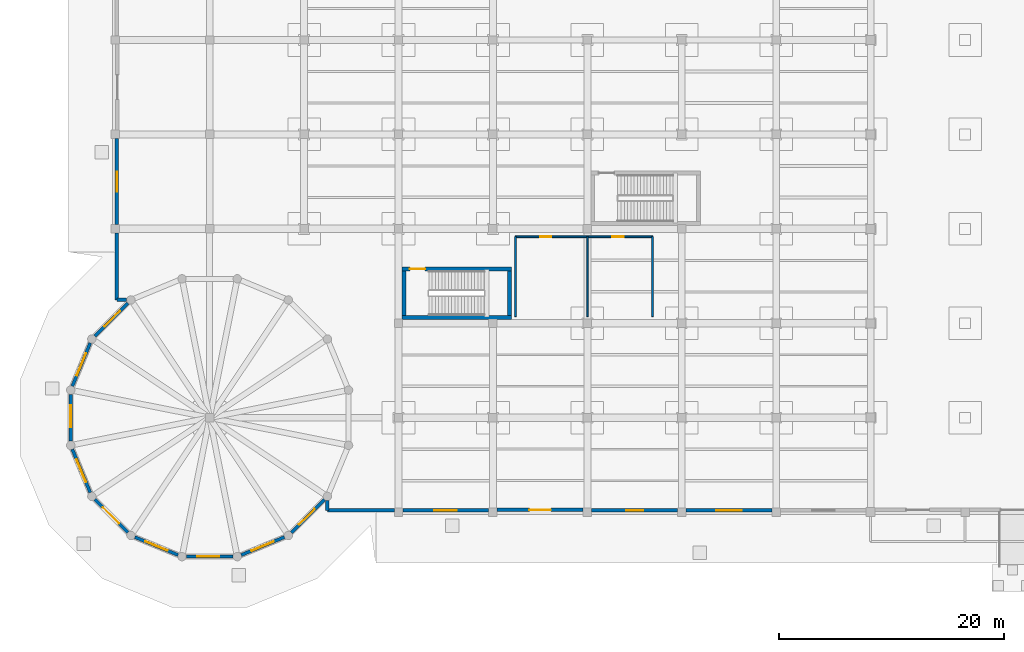
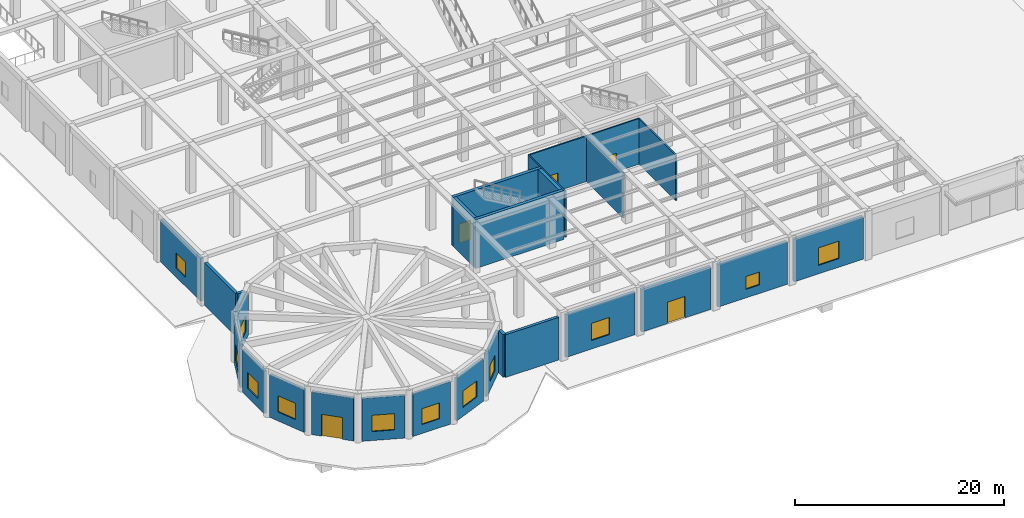
# One storey, part 22 of 43: 26 walls, 12 windows, 5 doors, 17 openings.
"""IFC4 building model written with IfcOpenShell, lengths in metres."""

from ifc_helpers import new_model, si_unit, direction, frame, frame_2d, origin, place, context, subcontext, project, spatial, rectangle, extrude, material, layer, layer_set, type_object, element, fill, save


model = new_model("IFC4")

# Units and contexts
model_context = context("Model", 3, precision=1e-05, world=origin(), true_north=direction((0.0, 1.0)))
body_context = subcontext(model_context, "Body", "Model", "MODEL_VIEW")
ifc_project = project(units=[si_unit("LENGTHUNIT", "METRE"), si_unit("AREAUNIT", "SQUARE_METRE"), si_unit("VOLUMEUNIT", "CUBIC_METRE"), si_unit("PLANEANGLEUNIT", "RADIAN"), si_unit("MASSUNIT", "GRAM", prefix="KILO")], contexts=[model_context])

# Site, building, storey
site_placement = place(None, origin())
site = spatial("IfcSite", under=ifc_project, at=site_placement, CompositionType="ELEMENT")
building_placement = place(site_placement, origin())
building = spatial("IfcBuilding", under=site, at=building_placement, Name="Almacenes y Pasaje Nevantli", CompositionType="ELEMENT")
storey_placement = place(building_placement, origin())
storey = spatial("IfcBuildingStorey", under=building, at=storey_placement, Name="L01", CompositionType="ELEMENT", Elevation=0.0)

# Wall
ifc_material_1 = material(Name="Concrete C45/55", Category="concrete")
ifc_layer_1 = layer(ifc_material_1, 0.35009765625)
ifc_layer_set_1 = layer_set([ifc_layer_1], Name="Concrete C45/55")
wall_type_1 = type_object("IfcWallType", Name="WL-CORE-350", PredefinedType="SHEAR", material=ifc_layer_set_1)
wall_1_placement = place(storey_placement, frame((25.5, 17.324951171875, 0.0), z_axis=(0.0, 0.0, 1.0), x_axis=(1.0, 0.0, 0.0)))
element("IfcWall", 1, at=wall_1_placement, inside=storey, type_object=wall_type_1, Name="L01 Exit Stair ST-04 South Core Shear Wall", PredefinedType="SHEAR", context=body_context, shape_type="SweptSolid", body=[
    extrude(rectangle(XDim=9.75, YDim=0.35009765625, at=frame_2d((4.875, 0.0))), origin(), (0.0, 0.0, 1.0), 5.699951171875),
])

# Wall, opening, door
wall_2_placement = place(storey_placement, frame((25.5, 21.625, 0.0), z_axis=(0.0, 0.0, 1.0), x_axis=(1.0, 0.0, 0.0)))
wall_2 = element("IfcWall", 2, at=wall_2_placement, inside=storey, type_object=wall_type_1, Name="L01 Exit Stair ST-04 North Core Shear Wall", PredefinedType="SHEAR", context=body_context, shape_type="SweptSolid", body=[
    extrude(rectangle(XDim=9.75, YDim=0.35009765625, at=frame_2d((4.875, 0.0))), origin(), (0.0, 0.0, 1.0), 5.699951171875),
])
opening_1_placement = place(wall_2_placement, frame((0.719970703125, 0.0, 0.0)))
opening_1 = element("IfcOpeningElement", 3, at=opening_1_placement, cuts=wall_2, Name="Opening SD-04-L01", PredefinedType="OPENING", context=body_context, shape_type="SweptSolid", body=[
    extrude(rectangle(XDim=1.35009765625, YDim=2.25, at=frame_2d((0.675048828125, 1.125))), frame((0.0, 0.18505859375, 0.0), z_axis=(0.0, -1.0, 0.0), x_axis=(1.0, 0.0, 0.0)), (0.0, 0.0, 1.0), 0.3701171875),
])
ifc_material_2 = material(Name="Galvanized Fire-Rated Steel", Category="steel")
door_type_1 = type_object("IfcDoorType", Name="DR-STAIR-1350R", OperationType="SINGLE_SWING_RIGHT", PredefinedType="DOOR", material=ifc_material_2)
door_1_placement = place(opening_1_placement, origin())
door_1 = element("IfcDoor", 4, at=door_1_placement, inside=storey, type_object=door_type_1, Name="L01 Smokeproof Exit Stair ST-04 Fire Door", OperationType="SINGLE_SWING_RIGHT", OverallHeight=2.25, OverallWidth=1.35009765625, PredefinedType="DOOR", context=body_context, shape_type="SweptSolid", body=[
    extrude(rectangle(XDim=1.35009765625, YDim=2.25, at=frame_2d((0.675048828125, 1.125))), frame((0.0, 0.02490234375, 0.0), z_axis=(0.0, -1.0, 0.0), x_axis=(1.0, 0.0, 0.0)), (0.0, 0.0, 1.0), 0.050048828125),
])
fill(opening_1, door_1)

# Walls
for number, where, z_axis, x_axis, name in (
    (5, (25.675048828125, 17.5, 0.0), (0.0, 0.0, 1.0), (0.0, 1.0, 0.0), "L01 Exit Stair ST-04 West Core Shear Wall"),
    (6, (35.074951171875, 17.5, 0.0), (0.0, 0.0, 1.0), (0.0, 1.0, 0.0), "L01 Exit Stair ST-04 East Core Shear Wall"),
):
    element("IfcWall", number, at=place(storey_placement, frame(where, z_axis=z_axis, x_axis=x_axis)), inside=storey, type_object=wall_type_1, Name=name, PredefinedType="SHEAR", context=body_context, shape_type="SweptSolid", body=[
        extrude(rectangle(XDim=3.949951171875, YDim=0.35009765625, at=frame_2d((1.97509765625, 0.0))), origin(), (0.0, 0.0, 1.0), 5.699951171875),
    ])

# Wall, opening, window
ifc_material_3 = material(Name="Architectural Precast Concrete C35/45 Spandrel Wall", Category="concrete")
ifc_layer_2 = layer(ifc_material_3, 0.280029296875)
ifc_layer_set_2 = layer_set([ifc_layer_2], Name="Architectural Precast Concrete C35/45 Spandrel Wall")
wall_type_2 = type_object("IfcWallType", Name="WL-EXT-CANTERA-280", PredefinedType="SOLIDWALL", material=ifc_layer_set_2)
wall_3_placement = place(storey_placement, frame((1.132568359375, 18.609130859375, 0.0), z_axis=(0.0, 0.0, 1.0), x_axis=(-0.707106781187, -0.707106781187, 0.0)))
wall_3 = element("IfcWall", 7, at=wall_3_placement, inside=storey, type_object=wall_type_2, Name="L01 Corner Rotunda Cantera Drum Facet #6", PredefinedType="SOLIDWALL", context=body_context, shape_type="SweptSolid", body=[
    extrude(rectangle(XDim=4.16015625, YDim=0.280029296875, at=frame_2d((2.080078125, 0.0))), origin(), (0.0, 0.0, 1.0), 4.97998046875),
])
opening_2_placement = place(wall_3_placement, frame((0.991943359375, 0.0, 1.050048828125)))
opening_2 = element("IfcOpeningElement", 8, at=opening_2_placement, cuts=wall_3, Name="Opening WT-37-044", PredefinedType="OPENING", context=body_context, shape_type="SweptSolid", body=[
    extrude(rectangle(XDim=1.949951171875, YDim=1.85009765625, at=frame_2d((0.97509765625, 0.925048828125))), frame((0.0, 0.14990234375, 0.0), z_axis=(0.0, -1.0, 0.0), x_axis=(1.0, 0.0, 0.0)), (0.0, 0.0, 1.0), 0.300048828125),
])
ifc_material_4 = material(Name="Thermally Broken Aluminium and Low-E Double Glazing", Category="aluminium")
window_type_1 = type_object("IfcWindowType", Name="WN-ROT-1950x1850", PartitioningType="SINGLE_PANEL", PredefinedType="WINDOW", material=ifc_material_4)
window_1_placement = place(opening_2_placement, origin())
window_1 = element("IfcWindow", 9, at=window_1_placement, inside=storey, type_object=window_type_1, Name="L01 Exterior Window WT-37 #44", OverallHeight=1.85009765625, OverallWidth=1.949951171875, PartitioningType="SINGLE_PANEL", PredefinedType="WINDOW", context=body_context, shape_type="SweptSolid", body=[
    extrude(rectangle(XDim=1.949951171875, YDim=1.85009765625, at=frame_2d((0.97509765625, 0.925048828125))), frame((0.0, 0.030029296875, 0.0), z_axis=(0.0, -1.0, 0.0), x_axis=(1.0, 0.0, 0.0)), (0.0, 0.0, 1.0), 0.06005859375),
])
fill(opening_2, window_1)

wall_4_placement = place(storey_placement, frame((-2.22119140625, 15.051025390625, 0.0), z_axis=(0.0, 0.0, 1.0), x_axis=(-0.38266448265, -0.923887381513, 0.0)))
wall_4 = element("IfcWall", 10, at=wall_4_placement, inside=storey, type_object=wall_type_2, Name="L01 Corner Rotunda Cantera Drum Facet #7", PredefinedType="SOLIDWALL", context=body_context, shape_type="SweptSolid", body=[
    extrude(rectangle(XDim=4.160400390625, YDim=0.280029296875, at=frame_2d((2.080078125, 0.0))), origin(), (0.0, 0.0, 1.0), 4.97998046875),
])
opening_3_placement = place(wall_4_placement, frame((0.991943359375, 0.0, 1.050048828125)))
opening_3 = element("IfcOpeningElement", 11, at=opening_3_placement, cuts=wall_4, Name="Opening WT-36-045", PredefinedType="OPENING", context=body_context, shape_type="SweptSolid", body=[
    extrude(rectangle(XDim=2.14990234375, YDim=1.89990234375, at=frame_2d((1.074951171875, 0.949951171875))), frame((0.0, 0.14990234375, 0.0), z_axis=(0.0, -1.0, 0.0), x_axis=(1.0, 0.0, 0.0)), (0.0, 0.0, 1.0), 0.300048828125),
])
ifc_material_5 = material(Name="Thermally Broken Aluminium and Low-E Double Glazing", Category="aluminium")
window_type_2 = type_object("IfcWindowType", Name="WN-ROT-2150x1900", PartitioningType="SINGLE_PANEL", PredefinedType="WINDOW", material=ifc_material_5)
window_2_placement = place(opening_3_placement, origin())
window_2 = element("IfcWindow", 12, at=window_2_placement, inside=storey, type_object=window_type_2, Name="L01 Exterior Window WT-36 #45", OverallHeight=1.89990234375, OverallWidth=2.14990234375, PartitioningType="SINGLE_PANEL", PredefinedType="WINDOW", context=body_context, shape_type="SweptSolid", body=[
    extrude(rectangle(XDim=2.14990234375, YDim=1.89990234375, at=frame_2d((1.074951171875, 0.949951171875))), frame((0.0, 0.030029296875, 0.0), z_axis=(0.0, -1.0, 0.0), x_axis=(1.0, 0.0, 0.0)), (0.0, 0.0, 1.0), 0.06005859375),
])
fill(opening_3, window_2)

wall_5_placement = place(storey_placement, frame((-3.9580078125, 10.47998046875, 0.0), z_axis=(0.0, 0.0, 1.0), x_axis=(0.0, -1.0, 0.0)))
wall_5 = element("IfcWall", 13, at=wall_5_placement, inside=storey, type_object=wall_type_2, Name="L01 Corner Rotunda Cantera Drum Facet #8", PredefinedType="SOLIDWALL", context=body_context, shape_type="SweptSolid", body=[
    extrude(rectangle(XDim=4.16015625, YDim=0.280029296875, at=frame_2d((2.080078125, 0.0))), origin(), (0.0, 0.0, 1.0), 4.97998046875),
])
opening_4_placement = place(wall_5_placement, frame((0.991943359375, 0.0, 1.050048828125)))
opening_4 = element("IfcOpeningElement", 14, at=opening_4_placement, cuts=wall_5, Name="Opening WT-37-046", PredefinedType="OPENING", context=body_context, shape_type="SweptSolid", body=[
    extrude(rectangle(XDim=1.949951171875, YDim=1.85009765625, at=frame_2d((0.97509765625, 0.925048828125))), frame((0.0, 0.14990234375, 0.0), z_axis=(0.0, -1.0, 0.0), x_axis=(1.0, 0.0, 0.0)), (0.0, 0.0, 1.0), 0.300048828125),
])
window_3_placement = place(opening_4_placement, origin())
window_3 = element("IfcWindow", 15, at=window_3_placement, inside=storey, type_object=window_type_1, Name="L01 Exterior Window WT-37 #46", OverallHeight=1.85009765625, OverallWidth=1.949951171875, PartitioningType="SINGLE_PANEL", PredefinedType="WINDOW", context=body_context, shape_type="SweptSolid", body=[
    extrude(rectangle(XDim=1.949951171875, YDim=1.85009765625, at=frame_2d((0.97509765625, 0.925048828125))), frame((0.0, 0.030029296875, 0.0), z_axis=(0.0, -1.0, 0.0), x_axis=(1.0, 0.0, 0.0)), (0.0, 0.0, 1.0), 0.06005859375),
])
fill(opening_4, window_3)

wall_6_placement = place(storey_placement, frame((-3.813232421875, 5.592529296875, 0.0), z_axis=(0.0, 0.0, 1.0), x_axis=(0.382685230002, -0.923878787904, 0.0)))
wall_6 = element("IfcWall", 16, at=wall_6_placement, inside=storey, type_object=wall_type_2, Name="L01 Corner Rotunda Cantera Drum Facet #9", PredefinedType="SOLIDWALL", context=body_context, shape_type="SweptSolid", body=[
    extrude(rectangle(XDim=4.16015625, YDim=0.280029296875, at=frame_2d((2.080078125, 0.0))), origin(), (0.0, 0.0, 1.0), 4.97998046875),
])
opening_5_placement = place(wall_6_placement, frame((0.991943359375, 0.0, 1.050048828125)))
opening_5 = element("IfcOpeningElement", 17, at=opening_5_placement, cuts=wall_6, Name="Opening WT-36-047", PredefinedType="OPENING", context=body_context, shape_type="SweptSolid", body=[
    extrude(rectangle(XDim=2.14990234375, YDim=1.89990234375, at=frame_2d((1.074951171875, 0.949951171875))), frame((0.0, 0.14990234375, 0.0), z_axis=(0.0, -1.0, 0.0), x_axis=(1.0, 0.0, 0.0)), (0.0, 0.0, 1.0), 0.300048828125),
])
window_4_placement = place(opening_5_placement, origin())
window_4 = element("IfcWindow", 18, at=window_4_placement, inside=storey, type_object=window_type_2, Name="L01 Exterior Window WT-36 #47", OverallHeight=1.89990234375, OverallWidth=2.14990234375, PartitioningType="SINGLE_PANEL", PredefinedType="WINDOW", context=body_context, shape_type="SweptSolid", body=[
    extrude(rectangle(XDim=2.14990234375, YDim=1.89990234375, at=frame_2d((1.074951171875, 0.949951171875))), frame((0.0, 0.030029296875, 0.0), z_axis=(0.0, -1.0, 0.0), x_axis=(1.0, 0.0, 0.0)), (0.0, 0.0, 1.0), 0.06005859375),
])
fill(opening_5, window_4)

# Wall, opening, door
wall_7_placement = place(storey_placement, frame((-1.80908203125, 1.132568359375, 0.0), z_axis=(0.0, 0.0, 1.0), x_axis=(0.707106781187, -0.707106781187, 0.0)))
wall_7 = element("IfcWall", 19, at=wall_7_placement, inside=storey, type_object=wall_type_2, Name="L01 Rotunda Ceremonial Corner Entrance Facet #10", PredefinedType="SOLIDWALL", context=body_context, shape_type="SweptSolid", body=[
    extrude(rectangle(XDim=4.16015625, YDim=0.280029296875, at=frame_2d((2.080078125, 0.0))), origin(), (0.0, 0.0, 1.0), 4.97998046875),
])
opening_6_placement = place(wall_7_placement, frame((0.991943359375, 0.0, 0.0)))
opening_6 = element("IfcOpeningElement", 20, at=opening_6_placement, cuts=wall_7, Name="Opening ED-L01-037", PredefinedType="OPENING", context=body_context, shape_type="SweptSolid", body=[
    extrude(rectangle(XDim=2.0400390625, YDim=2.550048828125, at=frame_2d((1.02001953125, 1.27490234375))), frame((0.0, 0.14990234375, 0.0), z_axis=(0.0, -1.0, 0.0), x_axis=(1.0, 0.0, 0.0)), (0.0, 0.0, 1.0), 0.300048828125),
])
ifc_material_6 = material(Name="Anodized Aluminium and Safety Glass", Category="aluminium")
door_type_2 = type_object("IfcDoorType", Name="DR-EXT-DBL-2040", OperationType="DOUBLE_DOOR_SINGLE_SWING", PredefinedType="DOOR", material=ifc_material_6)
door_2_placement = place(opening_6_placement, origin())
door_2 = element("IfcDoor", 21, at=door_2_placement, inside=storey, type_object=door_type_2, Name="L01 Corner Rotunda Ceremonial Entrance Door", OperationType="DOUBLE_DOOR_SINGLE_SWING", OverallHeight=2.550048828125, OverallWidth=2.0400390625, PredefinedType="DOOR", context=body_context, shape_type="SweptSolid", body=[
    extrude(rectangle(XDim=2.0400390625, YDim=2.550048828125, at=frame_2d((1.02001953125, 1.27490234375))), frame((0.0, 0.02490234375, 0.0), z_axis=(0.0, -1.0, 0.0), x_axis=(1.0, 0.0, 0.0)), (0.0, 0.0, 1.0), 0.050048828125),
])
fill(opening_6, door_2)

# Wall, opening, window
wall_8_placement = place(storey_placement, frame((1.7490234375, -2.22119140625, 0.0), z_axis=(0.0, 0.0, 1.0), x_axis=(0.923878787904, -0.382685230002, 0.0)))
wall_8 = element("IfcWall", 22, at=wall_8_placement, inside=storey, type_object=wall_type_2, Name="L01 Corner Rotunda Cantera Drum Facet #11", PredefinedType="SOLIDWALL", context=body_context, shape_type="SweptSolid", body=[
    extrude(rectangle(XDim=4.16015625, YDim=0.280029296875, at=frame_2d((2.080078125, 0.0))), origin(), (0.0, 0.0, 1.0), 4.97998046875),
])
opening_7_placement = place(wall_8_placement, frame((0.991943359375, 0.0, 1.050048828125)))
opening_7 = element("IfcOpeningElement", 23, at=opening_7_placement, cuts=wall_8, Name="Opening WT-36-048", PredefinedType="OPENING", context=body_context, shape_type="SweptSolid", body=[
    extrude(rectangle(XDim=2.14990234375, YDim=1.89990234375, at=frame_2d((1.074951171875, 0.949951171875))), frame((0.0, 0.14990234375, 0.0), z_axis=(0.0, -1.0, 0.0), x_axis=(1.0, 0.0, 0.0)), (0.0, 0.0, 1.0), 0.300048828125),
])
window_5_placement = place(opening_7_placement, origin())
window_5 = element("IfcWindow", 24, at=window_5_placement, inside=storey, type_object=window_type_2, Name="L01 Exterior Window WT-36 #48", OverallHeight=1.89990234375, OverallWidth=2.14990234375, PartitioningType="SINGLE_PANEL", PredefinedType="WINDOW", context=body_context, shape_type="SweptSolid", body=[
    extrude(rectangle(XDim=2.14990234375, YDim=1.89990234375, at=frame_2d((1.074951171875, 0.949951171875))), frame((0.0, 0.030029296875, 0.0), z_axis=(0.0, -1.0, 0.0), x_axis=(1.0, 0.0, 0.0)), (0.0, 0.0, 1.0), 0.06005859375),
])
fill(opening_7, window_5)

wall_9_placement = place(storey_placement, frame((6.31982421875, -3.9580078125, 0.0), z_axis=(0.0, 0.0, 1.0), x_axis=(1.0, 0.0, 0.0)))
wall_9 = element("IfcWall", 25, at=wall_9_placement, inside=storey, type_object=wall_type_2, Name="L01 Corner Rotunda Cantera Drum Facet #12", PredefinedType="SOLIDWALL", context=body_context, shape_type="SweptSolid", body=[
    extrude(rectangle(XDim=4.16015625, YDim=0.280029296875, at=frame_2d((2.080078125, 0.0))), origin(), (0.0, 0.0, 1.0), 4.97998046875),
])
opening_8_placement = place(wall_9_placement, frame((0.991943359375, 0.0, 1.050048828125)))
opening_8 = element("IfcOpeningElement", 26, at=opening_8_placement, cuts=wall_9, Name="Opening WT-37-049", PredefinedType="OPENING", context=body_context, shape_type="SweptSolid", body=[
    extrude(rectangle(XDim=1.949951171875, YDim=1.85009765625, at=frame_2d((0.97509765625, 0.925048828125))), frame((0.0, 0.14990234375, 0.0), z_axis=(0.0, -1.0, 0.0), x_axis=(1.0, 0.0, 0.0)), (0.0, 0.0, 1.0), 0.300048828125),
])
window_6_placement = place(opening_8_placement, origin())
window_6 = element("IfcWindow", 27, at=window_6_placement, inside=storey, type_object=window_type_1, Name="L01 Exterior Window WT-37 #49", OverallHeight=1.85009765625, OverallWidth=1.949951171875, PartitioningType="SINGLE_PANEL", PredefinedType="WINDOW", context=body_context, shape_type="SweptSolid", body=[
    extrude(rectangle(XDim=1.949951171875, YDim=1.85009765625, at=frame_2d((0.97509765625, 0.925048828125))), frame((0.0, 0.030029296875, 0.0), z_axis=(0.0, -1.0, 0.0), x_axis=(1.0, 0.0, 0.0)), (0.0, 0.0, 1.0), 0.06005859375),
])
fill(opening_8, window_6)

wall_10_placement = place(storey_placement, frame((11.207275390625, -3.813232421875, 0.0), z_axis=(0.0, 0.0, 1.0), x_axis=(0.923887381513, 0.38266448265, 0.0)))
wall_10 = element("IfcWall", 28, at=wall_10_placement, inside=storey, type_object=wall_type_2, Name="L01 Corner Rotunda Cantera Drum Facet #13", PredefinedType="SOLIDWALL", context=body_context, shape_type="SweptSolid", body=[
    extrude(rectangle(XDim=4.160400390625, YDim=0.280029296875, at=frame_2d((2.080078125, 0.0))), origin(), (0.0, 0.0, 1.0), 4.97998046875),
])
opening_9_placement = place(wall_10_placement, frame((0.991943359375, 0.0, 1.050048828125)))
opening_9 = element("IfcOpeningElement", 29, at=opening_9_placement, cuts=wall_10, Name="Opening WT-36-050", PredefinedType="OPENING", context=body_context, shape_type="SweptSolid", body=[
    extrude(rectangle(XDim=2.14990234375, YDim=1.89990234375, at=frame_2d((1.074951171875, 0.949951171875))), frame((0.0, 0.14990234375, 0.0), z_axis=(0.0, -1.0, 0.0), x_axis=(1.0, 0.0, 0.0)), (0.0, 0.0, 1.0), 0.300048828125),
])
window_7_placement = place(opening_9_placement, origin())
window_7 = element("IfcWindow", 30, at=window_7_placement, inside=storey, type_object=window_type_2, Name="L01 Exterior Window WT-36 #50", OverallHeight=1.89990234375, OverallWidth=2.14990234375, PartitioningType="SINGLE_PANEL", PredefinedType="WINDOW", context=body_context, shape_type="SweptSolid", body=[
    extrude(rectangle(XDim=2.14990234375, YDim=1.89990234375, at=frame_2d((1.074951171875, 0.949951171875))), frame((0.0, 0.030029296875, 0.0), z_axis=(0.0, -1.0, 0.0), x_axis=(1.0, 0.0, 0.0)), (0.0, 0.0, 1.0), 0.06005859375),
])
fill(opening_9, window_7)

wall_11_placement = place(storey_placement, frame((15.66748046875, -1.80908203125, 0.0), z_axis=(0.0, 0.0, 1.0), x_axis=(0.707106781187, 0.707106781187, 0.0)))
wall_11 = element("IfcWall", 31, at=wall_11_placement, inside=storey, type_object=wall_type_2, Name="L01 Corner Rotunda Cantera Drum Facet #14", PredefinedType="SOLIDWALL", context=body_context, shape_type="SweptSolid", body=[
    extrude(rectangle(XDim=4.16015625, YDim=0.280029296875, at=frame_2d((2.080078125, 0.0))), origin(), (0.0, 0.0, 1.0), 4.97998046875),
])
opening_10_placement = place(wall_11_placement, frame((0.991943359375, 0.0, 1.050048828125)))
opening_10 = element("IfcOpeningElement", 32, at=opening_10_placement, cuts=wall_11, Name="Opening WT-37-051", PredefinedType="OPENING", context=body_context, shape_type="SweptSolid", body=[
    extrude(rectangle(XDim=1.949951171875, YDim=1.85009765625, at=frame_2d((0.97509765625, 0.925048828125))), frame((0.0, 0.14990234375, 0.0), z_axis=(0.0, -1.0, 0.0), x_axis=(1.0, 0.0, 0.0)), (0.0, 0.0, 1.0), 0.300048828125),
])
window_8_placement = place(opening_10_placement, origin())
window_8 = element("IfcWindow", 33, at=window_8_placement, inside=storey, type_object=window_type_1, Name="L01 Exterior Window WT-37 #51", OverallHeight=1.85009765625, OverallWidth=1.949951171875, PartitioningType="SINGLE_PANEL", PredefinedType="WINDOW", context=body_context, shape_type="SweptSolid", body=[
    extrude(rectangle(XDim=1.949951171875, YDim=1.85009765625, at=frame_2d((0.97509765625, 0.925048828125))), frame((0.0, 0.030029296875, 0.0), z_axis=(0.0, -1.0, 0.0), x_axis=(1.0, 0.0, 0.0)), (0.0, 0.0, 1.0), 0.06005859375),
])
fill(opening_10, window_8)

ifc_material_7 = material(Name="Architectural Precast Concrete C35/45 Plinth Wall", Category="concrete")
ifc_layer_3 = layer(ifc_material_7, 0.31005859375)
ifc_layer_set_3 = layer_set([ifc_layer_3], Name="Architectural Precast Concrete C35/45 Plinth Wall")
wall_type_3 = type_object("IfcWallType", Name="WL-EXT-RECINTO-310", PredefinedType="SOLIDWALL", material=ifc_layer_set_3)
wall_12_placement = place(storey_placement, frame((25.577880859375, 0.14990234375, 0.0), z_axis=(0.0, 0.0, 1.0), x_axis=(1.0, 0.0, 0.0)))
wall_12 = element("IfcWall", 34, at=wall_12_placement, inside=storey, type_object=wall_type_3, Name="L01 South Retail Spandrel Wall Bay 4", PredefinedType="SOLIDWALL", context=body_context, shape_type="SweptSolid", body=[
    extrude(rectangle(XDim=7.64404296875, YDim=0.31005859375, at=frame_2d((3.822021484375, 0.0))), origin(), (0.0, 0.0, 1.0), 4.97998046875),
])
opening_11_placement = place(wall_12_placement, frame((2.822021484375, 0.0, 1.0)))
opening_11 = element("IfcOpeningElement", 35, at=opening_11_placement, cuts=wall_12, Name="Opening WT-15-018", PredefinedType="OPENING", context=body_context, shape_type="SweptSolid", body=[
    extrude(rectangle(XDim=2.0, YDim=2.0, at=frame_2d((1.0, 1.0))), frame((0.0, 0.1650390625, 0.0), z_axis=(0.0, -1.0, 0.0), x_axis=(1.0, 0.0, 0.0)), (0.0, 0.0, 1.0), 0.330078125),
])
ifc_material_8 = material(Name="Thermally Broken Aluminium and Low-E Double Glazing", Category="aluminium")
window_type_3 = type_object("IfcWindowType", Name="WN-POD-2000x2000", PartitioningType="SINGLE_PANEL", PredefinedType="WINDOW", material=ifc_material_8)
window_9_placement = place(opening_11_placement, origin())
window_9 = element("IfcWindow", 36, at=window_9_placement, inside=storey, type_object=window_type_3, Name="L01 Exterior Window WT-15 #18", OverallHeight=2.0, OverallWidth=2.0, PartitioningType="SINGLE_PANEL", PredefinedType="WINDOW", context=body_context, shape_type="SweptSolid", body=[
    extrude(rectangle(XDim=2.0, YDim=2.0, at=frame_2d((1.0, 1.0))), frame((0.0, 0.030029296875, 0.0), z_axis=(0.0, -1.0, 0.0), x_axis=(1.0, 0.0, 0.0)), (0.0, 0.0, 1.0), 0.06005859375),
])
fill(opening_11, window_9)

# Wall, opening, door
wall_13_placement = place(storey_placement, frame((33.97802734375, 0.199951171875, 0.0), z_axis=(0.0, 0.0, 1.0), x_axis=(1.0, 0.0, 0.0)))
wall_13 = element("IfcWall", 37, at=wall_13_placement, inside=storey, type_object=wall_type_3, Name="L01 South Boulevard Service Exit Wall Bay 5", PredefinedType="SOLIDWALL", context=body_context, shape_type="SweptSolid", body=[
    extrude(rectangle(XDim=7.64404296875, YDim=0.31005859375, at=frame_2d((3.822021484375, 0.0))), origin(), (0.0, 0.0, 1.0), 4.97998046875),
])
opening_12_placement = place(wall_13_placement, frame((2.862060546875, 0.0, 0.0)))
opening_12 = element("IfcOpeningElement", 38, at=opening_12_placement, cuts=wall_13, Name="Opening ED-L01-021", PredefinedType="OPENING", context=body_context, shape_type="SweptSolid", body=[
    extrude(rectangle(XDim=1.919921875, YDim=2.5, at=frame_2d((0.9599609375, 1.25))), frame((0.0, 0.1650390625, 0.0), z_axis=(0.0, -1.0, 0.0), x_axis=(1.0, 0.0, 0.0)), (0.0, 0.0, 1.0), 0.330078125),
])
ifc_material_9 = material(Name="Anodized Aluminium and Safety Glass", Category="aluminium")
door_type_3 = type_object("IfcDoorType", Name="DR-EXT-DBL-1920", OperationType="DOUBLE_DOOR_SINGLE_SWING", PredefinedType="DOOR", material=ifc_material_9)
door_3_placement = place(opening_12_placement, origin())
door_3 = element("IfcDoor", 39, at=door_3_placement, inside=storey, type_object=door_type_3, Name="L01 South Pedestrian Exit Door Bay 5", OperationType="DOUBLE_DOOR_SINGLE_SWING", OverallHeight=2.5, OverallWidth=1.919921875, PredefinedType="DOOR", context=body_context, shape_type="SweptSolid", body=[
    extrude(rectangle(XDim=1.919921875, YDim=2.5, at=frame_2d((0.9599609375, 1.25))), frame((0.0, 0.02490234375, 0.0), z_axis=(0.0, -1.0, 0.0), x_axis=(1.0, 0.0, 0.0)), (0.0, 0.0, 1.0), 0.050048828125),
])
fill(opening_12, door_3)

# Wall, opening, window
wall_14_placement = place(storey_placement, frame((42.3779296875, 0.14990234375, 0.0), z_axis=(0.0, 0.0, 1.0), x_axis=(1.0, 0.0, 0.0)))
wall_14 = element("IfcWall", 40, at=wall_14_placement, inside=storey, type_object=wall_type_3, Name="L01 South Retail Spandrel Wall Bay 6", PredefinedType="SOLIDWALL", context=body_context, shape_type="SweptSolid", body=[
    extrude(rectangle(XDim=7.64404296875, YDim=0.31005859375, at=frame_2d((3.822021484375, 0.0))), origin(), (0.0, 0.0, 1.0), 4.97998046875),
])
opening_13_placement = place(wall_14_placement, frame((3.072021484375, 0.0, 1.0)))
opening_13 = element("IfcOpeningElement", 41, at=opening_13_placement, cuts=wall_14, Name="Opening WT-08-019", PredefinedType="OPENING", context=body_context, shape_type="SweptSolid", body=[
    extrude(rectangle(XDim=1.5, YDim=1.5, at=frame_2d((0.75, 0.75))), frame((0.0, 0.1650390625, 0.0), z_axis=(0.0, -1.0, 0.0), x_axis=(1.0, 0.0, 0.0)), (0.0, 0.0, 1.0), 0.330078125),
])
ifc_material_10 = material(Name="Thermally Broken Aluminium and Low-E Double Glazing", Category="aluminium")
window_type_4 = type_object("IfcWindowType", Name="WN-OCU-1500", PartitioningType="SINGLE_PANEL", PredefinedType="WINDOW", material=ifc_material_10)
window_10_placement = place(opening_13_placement, origin())
window_10 = element("IfcWindow", 42, at=window_10_placement, inside=storey, type_object=window_type_4, Name="L01 Exterior Window WT-08 #19", OverallHeight=1.5, OverallWidth=1.5, PartitioningType="SINGLE_PANEL", PredefinedType="WINDOW", context=body_context, shape_type="SweptSolid", body=[
    extrude(rectangle(XDim=1.5, YDim=1.5, at=frame_2d((0.75, 0.75))), frame((0.0, 0.030029296875, 0.0), z_axis=(0.0, -1.0, 0.0), x_axis=(1.0, 0.0, 0.0)), (0.0, 0.0, 1.0), 0.06005859375),
])
fill(opening_13, window_10)

wall_15_placement = place(storey_placement, frame((50.778076171875, 0.14990234375, 0.0), z_axis=(0.0, 0.0, 1.0), x_axis=(1.0, 0.0, 0.0)))
wall_15 = element("IfcWall", 43, at=wall_15_placement, inside=storey, type_object=wall_type_3, Name="L01 South Retail Spandrel Wall Bay 7", PredefinedType="SOLIDWALL", context=body_context, shape_type="SweptSolid", body=[
    extrude(rectangle(XDim=7.64404296875, YDim=0.31005859375, at=frame_2d((3.822021484375, 0.0))), origin(), (0.0, 0.0, 1.0), 4.97998046875),
])
opening_14_placement = place(wall_15_placement, frame((2.672119140625, 0.0, 1.0)))
opening_14 = element("IfcOpeningElement", 44, at=opening_14_placement, cuts=wall_15, Name="Opening WT-14-020", PredefinedType="OPENING", context=body_context, shape_type="SweptSolid", body=[
    extrude(rectangle(XDim=2.300048828125, YDim=2.050048828125, at=frame_2d((1.14990234375, 1.02490234375))), frame((0.0, 0.1650390625, 0.0), z_axis=(0.0, -1.0, 0.0), x_axis=(1.0, 0.0, 0.0)), (0.0, 0.0, 1.0), 0.330078125),
])
ifc_material_11 = material(Name="Thermally Broken Aluminium and Low-E Double Glazing", Category="aluminium")
window_type_5 = type_object("IfcWindowType", Name="WN-POD-2300x2050", PartitioningType="SINGLE_PANEL", PredefinedType="WINDOW", material=ifc_material_11)
window_11_placement = place(opening_14_placement, origin())
window_11 = element("IfcWindow", 45, at=window_11_placement, inside=storey, type_object=window_type_5, Name="L01 Exterior Window WT-14 #20", OverallHeight=2.050048828125, OverallWidth=2.300048828125, PartitioningType="SINGLE_PANEL", PredefinedType="WINDOW", context=body_context, shape_type="SweptSolid", body=[
    extrude(rectangle(XDim=2.300048828125, YDim=2.050048828125, at=frame_2d((1.14990234375, 1.02490234375))), frame((0.0, 0.030029296875, 0.0), z_axis=(0.0, -1.0, 0.0), x_axis=(1.0, 0.0, 0.0)), (0.0, 0.0, 1.0), 0.06005859375),
])
fill(opening_14, window_11)

wall_16_placement = place(storey_placement, frame((0.14990234375, 25.577880859375, 0.0), z_axis=(0.0, 0.0, 1.0), x_axis=(0.0, 1.0, 0.0)))
wall_16 = element("IfcWall", 46, at=wall_16_placement, inside=storey, type_object=wall_type_3, Name="L01 West Avenue Cantera Wall Bay 4", PredefinedType="SOLIDWALL", context=body_context, shape_type="SweptSolid", body=[
    extrude(rectangle(XDim=7.64404296875, YDim=0.31005859375, at=frame_2d((3.822021484375, 0.0))), origin(), (0.0, 0.0, 1.0), 4.97998046875),
])
opening_15_placement = place(wall_16_placement, frame((2.922119140625, 0.0, 1.050048828125)))
opening_15 = element("IfcOpeningElement", 47, at=opening_15_placement, cuts=wall_16, Name="Opening WT-07-026", PredefinedType="OPENING", context=body_context, shape_type="SweptSolid", body=[
    extrude(rectangle(XDim=1.800048828125, YDim=1.800048828125, at=frame_2d((0.89990234375, 0.89990234375))), frame((0.0, 0.1650390625, 0.0), z_axis=(0.0, -1.0, 0.0), x_axis=(1.0, 0.0, 0.0)), (0.0, 0.0, 1.0), 0.330078125),
])
ifc_material_12 = material(Name="Thermally Broken Aluminium and Low-E Double Glazing", Category="aluminium")
window_type_6 = type_object("IfcWindowType", Name="WN-OCU-1800", PartitioningType="SINGLE_PANEL", PredefinedType="WINDOW", material=ifc_material_12)
window_12_placement = place(opening_15_placement, origin())
window_12 = element("IfcWindow", 48, at=window_12_placement, inside=storey, type_object=window_type_6, Name="L01 Exterior Window WT-07 #26", OverallHeight=1.800048828125, OverallWidth=1.800048828125, PartitioningType="SINGLE_PANEL", PredefinedType="WINDOW", context=body_context, shape_type="SweptSolid", body=[
    extrude(rectangle(XDim=1.800048828125, YDim=1.800048828125, at=frame_2d((0.89990234375, 0.89990234375))), frame((0.0, 0.030029296875, 0.0), z_axis=(0.0, -1.0, 0.0), x_axis=(1.0, 0.0, 0.0)), (0.0, 0.0, 1.0), 0.06005859375),
])
fill(opening_15, window_12)

# Walls
wall_17_placement = place(storey_placement, frame((0.14990234375, 18.8798828125, 0.0), z_axis=(0.0, 0.0, 1.0), x_axis=(0.0, 1.0, 0.0)))
element("IfcWall", 49, at=wall_17_placement, inside=storey, type_object=wall_type_3, Name="L01 Rotunda-to-West Facade Closure Wall", PredefinedType="SOLIDWALL", context=body_context, shape_type="SweptSolid", body=[
    extrude(rectangle(XDim=5.942138671875, YDim=0.31005859375, at=frame_2d((2.97119140625, 0.0))), origin(), (0.0, 0.0, 1.0), 4.97998046875),
])
wall_18_placement = place(storey_placement, frame((0.14990234375, 18.8798828125, 0.0), z_axis=(0.0, 0.0, 1.0), x_axis=(1.0, 0.0, 0.0)))
element("IfcWall", 50, at=wall_18_placement, inside=storey, type_object=wall_type_3, Name="L01 Rotunda-to-West Corner Return Wall", PredefinedType="SOLIDWALL", context=body_context, shape_type="SweptSolid", body=[
    extrude(rectangle(XDim=0.8720703125, YDim=0.31005859375, at=frame_2d((0.43603515625, 0.0))), origin(), (0.0, 0.0, 1.0), 4.97998046875),
])
wall_19_placement = place(storey_placement, frame((18.8798828125, 0.14990234375, 0.0), z_axis=(0.0, 0.0, 1.0), x_axis=(1.0, 0.0, 0.0)))
element("IfcWall", 51, at=wall_19_placement, inside=storey, type_object=wall_type_3, Name="L01 Rotunda-to-South Facade Closure Wall", PredefinedType="SOLIDWALL", context=body_context, shape_type="SweptSolid", body=[
    extrude(rectangle(XDim=5.942138671875, YDim=0.31005859375, at=frame_2d((2.97119140625, 0.0))), origin(), (0.0, 0.0, 1.0), 4.97998046875),
])
wall_20_placement = place(storey_placement, frame((18.8798828125, 0.14990234375, 0.0), z_axis=(0.0, 0.0, 1.0), x_axis=(0.0, 1.0, 0.0)))
element("IfcWall", 52, at=wall_20_placement, inside=storey, type_object=wall_type_3, Name="L01 Rotunda-to-South Corner Return Wall", PredefinedType="SOLIDWALL", context=body_context, shape_type="SweptSolid", body=[
    extrude(rectangle(XDim=0.8720703125, YDim=0.31005859375, at=frame_2d((0.43603515625, 0.0))), origin(), (0.0, 0.0, 1.0), 4.97998046875),
])

# Wall, openings, doors
ifc_material_13 = material(Name="Acoustic Steel-Stud Gypsum Partition", Category="steel")
ifc_layer_4 = layer(ifc_material_13, 0.14990234375)
ifc_layer_set_4 = layer_set([ifc_layer_4], Name="Acoustic Steel-Stud Gypsum Partition")
wall_type_4 = type_object("IfcWallType", Name="WL-PART-150", PredefinedType="PARTITIONING", material=ifc_layer_set_4)
wall_21_placement = place(storey_placement, frame((35.60009765625, 24.5, 0.0), z_axis=(0.0, 0.0, 1.0), x_axis=(1.0, 0.0, 0.0)))
wall_21 = element("IfcWall", 53, at=wall_21_placement, inside=storey, type_object=wall_type_4, Name="L01 Interior Partition Wall IW-150 #50", PredefinedType="PARTITIONING", context=body_context, shape_type="SweptSolid", body=[
    extrude(rectangle(XDim=12.199951171875, YDim=0.14990234375, at=frame_2d((6.10009765625, 0.0))), origin(), (0.0, 0.0, 1.0), 5.320068359375),
])
opening_16_placement = place(wall_21_placement, frame((2.199951171875, 0.0, 0.0)))
opening_16 = element("IfcOpeningElement", 54, at=opening_16_placement, cuts=wall_21, Name="Opening ID-L01-025", PredefinedType="OPENING", context=body_context, shape_type="SweptSolid", body=[
    extrude(rectangle(XDim=1.0, YDim=2.10009765625, at=frame_2d((0.5, 1.050048828125))), frame((0.0, 0.0849609375, 0.0), z_axis=(0.0, -1.0, 0.0), x_axis=(1.0, 0.0, 0.0)), (0.0, 0.0, 1.0), 0.169921875),
])
opening_17_placement = place(wall_21_placement, frame((8.60009765625, 0.0, 0.0)))
opening_17 = element("IfcOpeningElement", 55, at=opening_17_placement, cuts=wall_21, Name="Opening ID-L01-026", PredefinedType="OPENING", context=body_context, shape_type="SweptSolid", body=[
    extrude(rectangle(XDim=1.050048828125, YDim=2.14990234375, at=frame_2d((0.52490234375, 1.074951171875))), frame((0.0, 0.0849609375, 0.0), z_axis=(0.0, -1.0, 0.0), x_axis=(1.0, 0.0, 0.0)), (0.0, 0.0, 1.0), 0.169921875),
])
ifc_material_14 = material(Name="Powder-Coated Hollow Metal", Category="steel")
door_type_4 = type_object("IfcDoorType", Name="DR-ACC-1050", OperationType="SINGLE_SWING_RIGHT", PredefinedType="DOOR", material=ifc_material_14)
door_4_placement = place(opening_17_placement, origin())
door_4 = element("IfcDoor", 56, at=door_4_placement, inside=storey, type_object=door_type_4, Name="L01 Ground Retail Accessible WC Door", OperationType="SINGLE_SWING_RIGHT", OverallHeight=2.14990234375, OverallWidth=1.050048828125, PredefinedType="DOOR", context=body_context, shape_type="SweptSolid", body=[
    extrude(rectangle(XDim=1.050048828125, YDim=2.14990234375, at=frame_2d((0.52490234375, 1.074951171875))), frame((0.0, 0.02490234375, 0.0), z_axis=(0.0, -1.0, 0.0), x_axis=(1.0, 0.0, 0.0)), (0.0, 0.0, 1.0), 0.050048828125),
])
fill(opening_17, door_4)
ifc_material_15 = material(Name="Powder-Coated Hollow Metal", Category="steel")
door_type_5 = type_object("IfcDoorType", Name="DR-INT-1000", OperationType="SINGLE_SWING_LEFT", PredefinedType="DOOR", material=ifc_material_15)
door_5_placement = place(opening_16_placement, origin())
door_5 = element("IfcDoor", 57, at=door_5_placement, inside=storey, type_object=door_type_5, Name="L01 Ground Retail Public WC Door", OperationType="SINGLE_SWING_LEFT", OverallHeight=2.10009765625, OverallWidth=1.0, PredefinedType="DOOR", context=body_context, shape_type="SweptSolid", body=[
    extrude(rectangle(XDim=1.0, YDim=2.10009765625, at=frame_2d((0.5, 1.050048828125))), frame((0.0, 0.02490234375, 0.0), z_axis=(0.0, -1.0, 0.0), x_axis=(1.0, 0.0, 0.0)), (0.0, 0.0, 1.0), 0.050048828125),
])
fill(opening_16, door_5)

# Walls
for number, where, z_axis, x_axis, name in (
    (58, (35.60009765625, 17.39990234375, 0.0), (0.0, 0.0, 1.0), (0.0, 1.0, 0.0), "L01 Interior Partition Wall IW-150 #51"),
    (59, (42.0, 17.39990234375, 0.0), (0.0, 0.0, 1.0), (0.0, 1.0, 0.0), "L01 Interior Partition Wall IW-150 #52"),
    (60, (47.800048828125, 17.39990234375, 0.0), (0.0, 0.0, 1.0), (0.0, 1.0, 0.0), "L01 Interior Partition Wall IW-150 #53"),
):
    element("IfcWall", number, at=place(storey_placement, frame(where, z_axis=z_axis, x_axis=x_axis)), inside=storey, type_object=wall_type_4, Name=name, PredefinedType="PARTITIONING", context=body_context, shape_type="SweptSolid", body=[
        extrude(rectangle(XDim=7.10009765625, YDim=0.14990234375, at=frame_2d((3.550048828125, 0.0))), origin(), (0.0, 0.0, 1.0), 5.320068359375),
    ])

save(model, "model.ifc")
